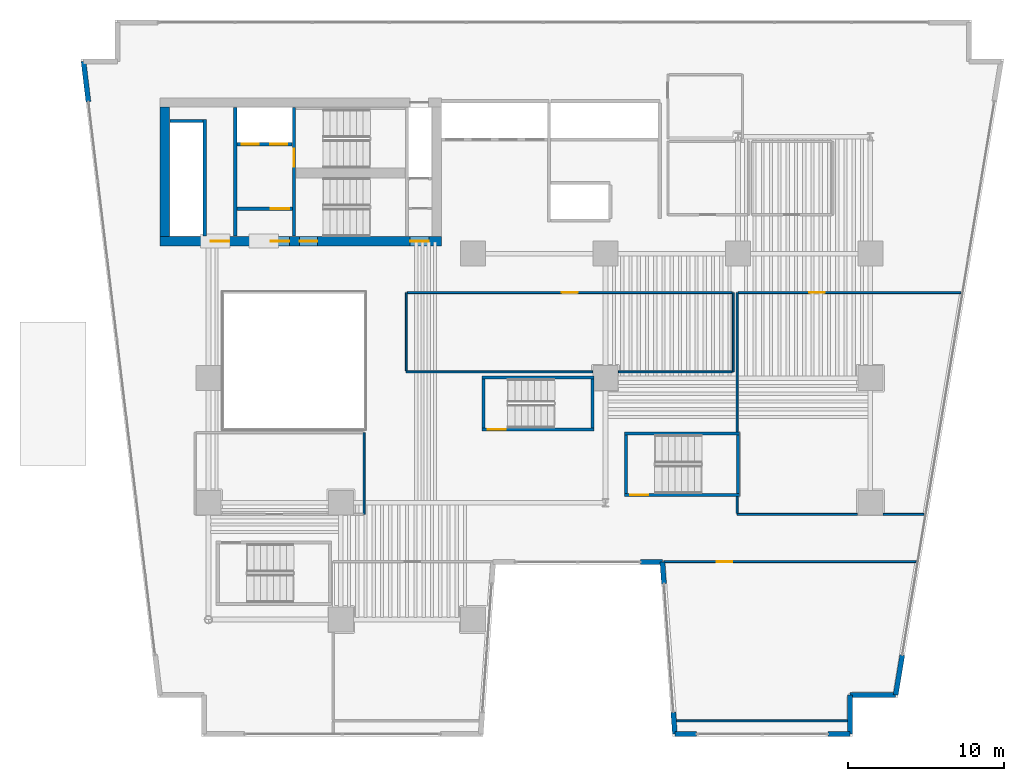
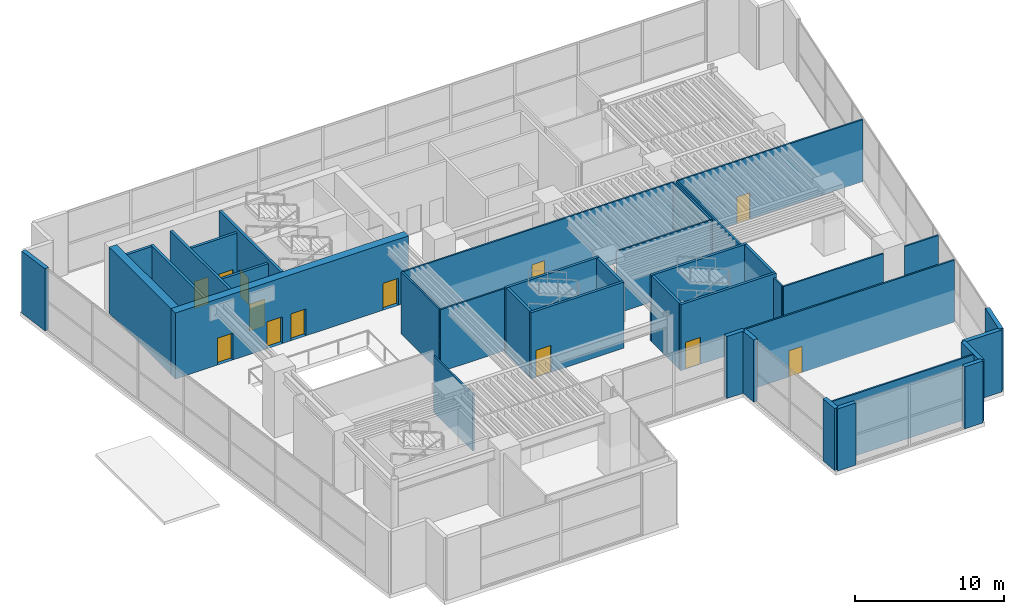
# One storey, part 10 of 17: 38 walls, 13 doors, 13 openings.
"""IFC4 building model written with IfcOpenShell, lengths in metres."""

from ifc_helpers import new_model, si_unit, direction, frame, frame_2d, origin, place, context, subcontext, project, spatial, rectangle, extrude, material, layer, layer_set, type_object, element, fill, save


model = new_model("IFC4")

# Units and contexts
model_context = context("Model", 3, precision=1e-05, world=origin(), true_north=direction((0.0, 1.0)))
body_context = subcontext(model_context, "Body", "Model", "MODEL_VIEW")
ifc_project = project(units=[si_unit("LENGTHUNIT", "METRE"), si_unit("AREAUNIT", "SQUARE_METRE"), si_unit("VOLUMEUNIT", "CUBIC_METRE"), si_unit("PLANEANGLEUNIT", "RADIAN"), si_unit("MASSUNIT", "GRAM", prefix="KILO")], contexts=[model_context])

# Site, building, storey
site_placement = place(None, origin())
site = spatial("IfcSite", under=ifc_project, at=site_placement, CompositionType="ELEMENT")
building_placement = place(site_placement, origin())
building = spatial("IfcBuilding", under=site, at=building_placement, Name="Caeloran Harvest Quay", CompositionType="ELEMENT")
storey_placement = place(building_placement, frame((0.0, 0.0, 5.39990234375)))
storey = spatial("IfcBuildingStorey", under=building, at=storey_placement, Name="L02", CompositionType="ELEMENT", Elevation=5.39990234375)

# Walls
ifc_material_1 = material(Name="Precast concrete C50/60", Category="concrete")
ifc_layer_1 = layer(ifc_material_1, 0.320068359375, Name="Precast concrete C50/60")
ifc_layer_set_1 = layer_set([ifc_layer_1], Name="Precast concrete C50/60")
wall_type_1 = type_object("IfcWallType", Name="ENV-WALL-EW-320", PredefinedType="STANDARD", material=ifc_layer_set_1)
wall_1_placement = place(storey_placement, frame((0.792724609375, 40.7587890625, 0.0), z_axis=(0.0, 0.0, 1.0), x_axis=(-0.119630264411, 0.992818513041, 0.0)))
element("IfcWall", 1, at=wall_1_placement, inside=storey, type_object=wall_type_1, Name="L02 Exterior Facade Corner Pier Wall 3B", PredefinedType="STANDARD", context=body_context, shape_type="SweptSolid", body=[
    extrude(rectangle(XDim=2.599853515625, YDim=0.320068359375, at=frame_2d((1.2998046875, 0.0))), origin(), (0.0, 0.0, 1.0), 5.080078125),
])
wall_2_placement = place(storey_placement, frame((53.051513671875, 5.224609375, 0.0), z_axis=(0.0, 0.0, 1.0), x_axis=(-0.164231487243, -0.986421825893, 0.0)))
element("IfcWall", 2, at=wall_2_placement, inside=storey, type_object=wall_type_1, Name="L02 Exterior Facade Corner Pier Wall 9B", PredefinedType="STANDARD", context=body_context, shape_type="SweptSolid", body=[
    extrude(rectangle(XDim=2.60009765625, YDim=0.320068359375, at=frame_2d((1.300048828125, 0.0))), origin(), (0.0, 0.0, 1.0), 5.080078125),
])
wall_3_placement = place(storey_placement, frame((52.62451171875, 2.659912109375, 0.0), z_axis=(0.0, 0.0, 1.0), x_axis=(-1.0, 0.0, 0.0)))
element("IfcWall", 3, at=wall_3_placement, inside=storey, type_object=wall_type_1, Name="L02 Exterior Precast Concrete Facade Wall 10", PredefinedType="STANDARD", context=body_context, shape_type="SweptSolid", body=[
    extrude(rectangle(XDim=2.9404296875, YDim=0.320068359375, at=frame_2d((1.47021484375, 0.0))), origin(), (0.0, 0.0, 1.0), 5.080078125),
])
wall_4_placement = place(storey_placement, frame((49.68408203125, 2.659912109375, 0.0), z_axis=(0.0, 0.0, 1.0), x_axis=(0.0, -1.0, 0.0)))
element("IfcWall", 4, at=wall_4_placement, inside=storey, type_object=wall_type_1, Name="L02 Exterior Precast Concrete Facade Wall 11", PredefinedType="STANDARD", context=body_context, shape_type="SweptSolid", body=[
    extrude(rectangle(XDim=2.5, YDim=0.320068359375, at=frame_2d((1.25, 0.0))), origin(), (0.0, 0.0, 1.0), 5.080078125),
])
wall_5_placement = place(storey_placement, frame((49.68408203125, 0.159912109375, 0.0), z_axis=(0.0, 0.0, 1.0), x_axis=(-1.0, 0.0, 0.0)))
element("IfcWall", 5, at=wall_5_placement, inside=storey, type_object=wall_type_1, Name="L02 Exterior Facade Corner Pier Wall 12A", PredefinedType="STANDARD", context=body_context, shape_type="SweptSolid", body=[
    extrude(rectangle(XDim=1.400146484375, YDim=0.320068359375, at=frame_2d((0.7001953125, 0.0))), origin(), (0.0, 0.0, 1.0), 5.080078125),
])
wall_6_placement = place(storey_placement, frame((39.852783203125, 0.159912109375, 0.0), z_axis=(0.0, 0.0, 1.0), x_axis=(-1.0, 0.0, 0.0)))
element("IfcWall", 6, at=wall_6_placement, inside=storey, type_object=wall_type_1, Name="L02 Exterior Facade Corner Pier Wall 12B", PredefinedType="STANDARD", context=body_context, shape_type="SweptSolid", body=[
    extrude(rectangle(XDim=1.39990234375, YDim=0.320068359375, at=frame_2d((0.699951171875, 0.0))), origin(), (0.0, 0.0, 1.0), 5.080078125),
])
wall_7_placement = place(storey_placement, frame((38.452880859375, 0.159912109375, 0.0), z_axis=(0.0, 0.0, 1.0), x_axis=(-0.072362245244, 0.997378416381, 0.0)))
element("IfcWall", 7, at=wall_7_placement, inside=storey, type_object=wall_type_1, Name="L02 Exterior Facade Corner Pier Wall 13A", PredefinedType="STANDARD", context=body_context, shape_type="SweptSolid", body=[
    extrude(rectangle(XDim=1.400146484375, YDim=0.320068359375, at=frame_2d((0.7001953125, 0.0))), origin(), (0.0, 0.0, 1.0), 5.080078125),
])
wall_8_placement = place(storey_placement, frame((37.75390625, 9.8037109375, 0.0), z_axis=(0.0, 0.0, 1.0), x_axis=(-0.072201344972, 0.997390077043, 0.0)))
element("IfcWall", 8, at=wall_8_placement, inside=storey, type_object=wall_type_1, Name="L02 Exterior Facade Corner Pier Wall 13B", PredefinedType="STANDARD", context=body_context, shape_type="SweptSolid", body=[
    extrude(rectangle(XDim=1.39990234375, YDim=0.320068359375, at=frame_2d((0.699951171875, 0.0))), origin(), (0.0, 0.0, 1.0), 5.080078125),
])
wall_9_placement = place(storey_placement, frame((37.65283203125, 11.199951171875, 0.0), z_axis=(0.0, 0.0, 1.0), x_axis=(-1.0, 0.0, 0.0)))
element("IfcWall", 9, at=wall_9_placement, inside=storey, type_object=wall_type_1, Name="L02 Exterior Facade Corner Pier Wall 14A", PredefinedType="STANDARD", context=body_context, shape_type="SweptSolid", body=[
    extrude(rectangle(XDim=1.400146484375, YDim=0.320068359375, at=frame_2d((0.7001953125, 0.0))), origin(), (0.0, 0.0, 1.0), 5.080078125),
])
ifc_material_2 = material(Name="Twin-Stud Mineral-Wool Acoustic Gypsum Partition", Category="gypsum")
ifc_layer_2 = layer(ifc_material_2, 0.125, Name="Twin-Stud Mineral-Wool Acoustic Gypsum Partition")
ifc_layer_set_2 = layer_set([ifc_layer_2], Name="Twin-Stud Mineral-Wool Acoustic Gypsum Partition")
wall_type_2 = type_object("IfcWallType", Name="INT-WALL-PW-125", PredefinedType="PARTITIONING", material=ifc_layer_set_2)
wall_10_placement = place(storey_placement, frame((18.5, 19.5, 0.0), z_axis=(0.0, 0.0, 1.0), x_axis=(0.0, -1.0, 0.0)))
element("IfcWall", 10, at=wall_10_placement, inside=storey, type_object=wall_type_2, Name="Harbour Cooked-Food Hall (56 Stalls) Partition Wall", PredefinedType="PARTITIONING", context=body_context, shape_type="SweptSolid", body=[
    extrude(rectangle(XDim=5.25, YDim=0.125, at=frame_2d((2.625, 0.0))), origin(), (0.0, 0.0, 1.0), 4.614990234375),
])
wall_11_placement = place(storey_placement, frame((49.51904296875, 1.0, 0.0), z_axis=(0.0, 0.0, 1.0), x_axis=(-1.0, 0.0, 0.0)))
element("IfcWall", 11, at=wall_11_placement, inside=storey, type_object=wall_type_2, Name="Cantonese Roast and Dim Sum Restaurant Partition Wall", PredefinedType="PARTITIONING", context=body_context, shape_type="SweptSolid", body=[
    extrude(rectangle(XDim=10.961669921875, YDim=0.125, at=frame_2d((5.48095703125, 0.0))), origin(), (0.0, 0.0, 1.0), 5.080078125),
])

# Wall, opening, door
wall_12_placement = place(storey_placement, frame((37.727294921875, 11.219970703125, 0.0), z_axis=(0.0, 0.0, 1.0), x_axis=(1.0, 0.0, 0.0)))
wall_12 = element("IfcWall", 12, at=wall_12_placement, inside=storey, type_object=wall_type_2, Name="Cantonese Roast and Dim Sum Restaurant Partition Wall", PredefinedType="PARTITIONING", context=body_context, shape_type="SweptSolid", body=[
    extrude(rectangle(XDim=16.215576171875, YDim=0.125, at=frame_2d((8.10791015625, 0.0))), origin(), (0.0, 0.0, 1.0), 5.080078125),
])
opening_1_placement = place(wall_12_placement, frame((3.41455078125, 0.0, 0.0)))
opening_1 = element("IfcOpeningElement", 13, at=opening_1_placement, cuts=wall_12, Name="Opening ID-01", PredefinedType="OPENING", context=body_context, shape_type="SweptSolid", body=[
    extrude(rectangle(XDim=1.0, YDim=2.14990234375, at=frame_2d((0.5, 1.074951171875))), frame((0.0, 0.072509765625, 0.0), z_axis=(0.0, -1.0, 0.0), x_axis=(1.0, 0.0, 0.0)), (0.0, 0.0, 1.0), 0.14501953125),
])
ifc_material_3 = material(Name="FSC Solid-Core Ash Timber and Acoustic Seal", Category="wood")
door_type_1 = type_object("IfcDoorType", Name="INTDOOR-ID-01", OperationType="NOTDEFINED", PredefinedType="DOOR", material=ifc_material_3)
door_1_placement = place(opening_1_placement, origin())
door_1 = element("IfcDoor", 14, at=door_1_placement, inside=storey, type_object=door_type_1, Name="Cantonese Roast and Dim Sum Restaurant Access Door", OperationType="SINGLE_SWING_RIGHT", OverallHeight=2.14990234375, OverallWidth=1.0, PredefinedType="DOOR", context=body_context, shape_type="SweptSolid", body=[
    extrude(rectangle(XDim=1.0, YDim=2.14990234375, at=frame_2d((0.5, 1.074951171875))), frame((0.0, 0.02490234375, 0.0), z_axis=(0.0, -1.0, 0.0), x_axis=(1.0, 0.0, 0.0)), (0.0, 0.0, 1.0), 0.050048828125),
])
fill(opening_1, door_1)

# Walls
wall_13_placement = place(storey_placement, frame((42.199951171875, 28.5, 0.0), z_axis=(0.0, 0.0, 1.0), x_axis=(0.0, -1.0, 0.0)))
element("IfcWall", 15, at=wall_13_placement, inside=storey, type_object=wall_type_2, Name="Hydroponic Salad Tasting Lounge Partition Wall", PredefinedType="PARTITIONING", context=body_context, shape_type="SweptSolid", body=[
    extrude(rectangle(XDim=5.10009765625, YDim=0.125, at=frame_2d((2.550048828125, 0.0))), origin(), (0.0, 0.0, 1.0), 5.080078125),
])
wall_14_placement = place(storey_placement, frame((42.132568359375, 23.39990234375, 0.0), z_axis=(0.0, 0.0, 1.0), x_axis=(-1.0, 0.0, 0.0)))
element("IfcWall", 16, at=wall_14_placement, inside=storey, type_object=wall_type_2, Name="Hydroponic Salad Tasting Lounge Partition Wall", PredefinedType="PARTITIONING", context=body_context, shape_type="SweptSolid", body=[
    extrude(rectangle(XDim=7.3076171875, YDim=0.125, at=frame_2d((3.65380859375, 0.0))), origin(), (0.0, 0.0, 1.0), 5.080078125),
])
wall_15_placement = place(storey_placement, frame((33.175048828125, 23.39990234375, 0.0), z_axis=(0.0, 0.0, 1.0), x_axis=(-1.0, 0.0, 0.0)))
element("IfcWall", 17, at=wall_15_placement, inside=storey, type_object=wall_type_2, Name="Hydroponic Salad Tasting Lounge Partition Wall", PredefinedType="PARTITIONING", context=body_context, shape_type="SweptSolid", body=[
    extrude(rectangle(XDim=11.97509765625, YDim=0.125, at=frame_2d((5.987548828125, 0.0))), origin(), (0.0, 0.0, 1.0), 5.080078125),
])
wall_16_placement = place(storey_placement, frame((21.199951171875, 23.467529296875, 0.0), z_axis=(0.0, 0.0, 1.0), x_axis=(0.0, 1.0, 0.0)))
element("IfcWall", 18, at=wall_16_placement, inside=storey, type_object=wall_type_2, Name="Hydroponic Salad Tasting Lounge Partition Wall", PredefinedType="PARTITIONING", context=body_context, shape_type="SweptSolid", body=[
    extrude(rectangle(XDim=5.032470703125, YDim=0.125, at=frame_2d((2.51611328125, 0.0))), origin(), (0.0, 0.0, 1.0), 5.080078125),
])

# Wall, opening, door
wall_17_placement = place(storey_placement, frame((21.267578125, 28.5, 0.0), z_axis=(0.0, 0.0, 1.0), x_axis=(1.0, 0.0, 0.0)))
wall_17 = element("IfcWall", 19, at=wall_17_placement, inside=storey, type_object=wall_type_2, Name="Hydroponic Salad Tasting Lounge Partition Wall", PredefinedType="PARTITIONING", context=body_context, shape_type="SweptSolid", body=[
    extrude(rectangle(XDim=20.864990234375, YDim=0.125, at=frame_2d((10.4326171875, 0.0))), origin(), (0.0, 0.0, 1.0), 5.080078125),
])
opening_2_placement = place(wall_17_placement, frame((9.9326171875, 0.0, 0.0)))
opening_2 = element("IfcOpeningElement", 20, at=opening_2_placement, cuts=wall_17, Name="Opening ID-01", PredefinedType="OPENING", context=body_context, shape_type="SweptSolid", body=[
    extrude(rectangle(XDim=1.0, YDim=2.14990234375, at=frame_2d((0.5, 1.074951171875))), frame((0.0, 0.072509765625, 0.0), z_axis=(0.0, -1.0, 0.0), x_axis=(1.0, 0.0, 0.0)), (0.0, 0.0, 1.0), 0.14501953125),
])
door_2_placement = place(opening_2_placement, origin())
door_2 = element("IfcDoor", 21, at=door_2_placement, inside=storey, type_object=door_type_1, Name="Hydroponic Salad Tasting Lounge Access Door", OperationType="SINGLE_SWING_LEFT", OverallHeight=2.14990234375, OverallWidth=1.0, PredefinedType="DOOR", context=body_context, shape_type="SweptSolid", body=[
    extrude(rectangle(XDim=1.0, YDim=2.14990234375, at=frame_2d((0.5, 1.074951171875))), frame((0.0, 0.02490234375, 0.0), z_axis=(0.0, -1.0, 0.0), x_axis=(1.0, 0.0, 0.0)), (0.0, 0.0, 1.0), 0.050048828125),
])
fill(opening_2, door_2)

# Wall
wall_18_placement = place(storey_placement, frame((42.449951171875, 19.554931640625, 0.0), z_axis=(0.0, 0.0, 1.0), x_axis=(0.0, 1.0, 0.0)))
element("IfcWall", 22, at=wall_18_placement, inside=storey, type_object=wall_type_2, Name="Cold Prep Commissary Kitchen Partition Wall", PredefinedType="PARTITIONING", context=body_context, shape_type="SweptSolid", body=[
    extrude(rectangle(XDim=8.945068359375, YDim=0.125, at=frame_2d((4.47265625, 0.0))), origin(), (0.0, 0.0, 1.0), 5.080078125),
])

# Wall, opening, door
wall_19_placement = place(storey_placement, frame((42.517578125, 28.5, 0.0), z_axis=(0.0, 0.0, 1.0), x_axis=(1.0, 0.0, 0.0)))
wall_19 = element("IfcWall", 23, at=wall_19_placement, inside=storey, type_object=wall_type_2, Name="Cold Prep Commissary Kitchen Partition Wall", PredefinedType="PARTITIONING", context=body_context, shape_type="SweptSolid", body=[
    extrude(rectangle(XDim=14.301025390625, YDim=0.125, at=frame_2d((7.150390625, 0.0))), origin(), (0.0, 0.0, 1.0), 5.080078125),
])
opening_3_placement = place(wall_19_placement, frame((4.560791015625, 0.0, 0.0)))
opening_3 = element("IfcOpeningElement", 24, at=opening_3_placement, cuts=wall_19, Name="Opening ID-01", PredefinedType="OPENING", context=body_context, shape_type="SweptSolid", body=[
    extrude(rectangle(XDim=1.0, YDim=2.14990234375, at=frame_2d((0.5, 1.074951171875))), frame((0.0, 0.072509765625, 0.0), z_axis=(0.0, -1.0, 0.0), x_axis=(1.0, 0.0, 0.0)), (0.0, 0.0, 1.0), 0.14501953125),
])
door_3_placement = place(opening_3_placement, origin())
door_3 = element("IfcDoor", 25, at=door_3_placement, inside=storey, type_object=door_type_1, Name="Cold Prep Commissary Kitchen Access Door", OperationType="SINGLE_SWING_RIGHT", OverallHeight=2.14990234375, OverallWidth=1.0, PredefinedType="DOOR", context=body_context, shape_type="SweptSolid", body=[
    extrude(rectangle(XDim=1.0, YDim=2.14990234375, at=frame_2d((0.5, 1.074951171875))), frame((0.0, 0.02490234375, 0.0), z_axis=(0.0, -1.0, 0.0), x_axis=(1.0, 0.0, 0.0)), (0.0, 0.0, 1.0), 0.050048828125),
])
fill(opening_3, door_3)

# Walls
wall_20_placement = place(storey_placement, frame((54.447021484375, 14.25, 0.0), z_axis=(0.0, 0.0, 1.0), x_axis=(-1.0, 0.0, 0.0)))
element("IfcWall", 26, at=wall_20_placement, inside=storey, type_object=wall_type_2, Name="Cold Prep Commissary Kitchen Partition Wall", PredefinedType="PARTITIONING", context=body_context, shape_type="SweptSolid", body=[
    extrude(rectangle(XDim=2.6220703125, YDim=0.125, at=frame_2d((1.31103515625, 0.0))), origin(), (0.0, 0.0, 1.0), 5.080078125),
])
wall_21_placement = place(storey_placement, frame((50.175048828125, 14.25, 0.0), z_axis=(0.0, 0.0, 1.0), x_axis=(-1.0, 0.0, 0.0)))
element("IfcWall", 27, at=wall_21_placement, inside=storey, type_object=wall_type_2, Name="Cold Prep Commissary Kitchen Partition Wall", PredefinedType="PARTITIONING", context=body_context, shape_type="SweptSolid", body=[
    extrude(rectangle(XDim=7.72509765625, YDim=0.125, at=frame_2d((3.862548828125, 0.0))), origin(), (0.0, 0.0, 1.0), 5.080078125),
])
wall_22_placement = place(storey_placement, frame((42.449951171875, 14.3173828125, 0.0), z_axis=(0.0, 0.0, 1.0), x_axis=(0.0, 1.0, 0.0)))
element("IfcWall", 28, at=wall_22_placement, inside=storey, type_object=wall_type_2, Name="Cold Prep Commissary Kitchen Partition Wall", PredefinedType="PARTITIONING", context=body_context, shape_type="SweptSolid", body=[
    extrude(rectangle(XDim=1.07763671875, YDim=0.125, at=frame_2d((0.538818359375, 0.0))), origin(), (0.0, 0.0, 1.0), 5.080078125),
])
ifc_material_4 = material(Name="Concrete C50/60", Category="concrete")
ifc_layer_3 = layer(ifc_material_4, 0.199951171875, Name="Concrete C50/60")
ifc_layer_set_3 = layer_set([ifc_layer_3], Name="Concrete C50/60")
wall_type_3 = type_object("IfcWallType", Name="INT-WALL-SW-200", PredefinedType="PARTITIONING", material=ifc_layer_set_3)
wall_23_placement = place(storey_placement, frame((8.260009765625, 32.1201171875, 0.0), z_axis=(0.0, 0.0, 1.0), x_axis=(0.0, 1.0, 0.0)))
element("IfcWall", 29, at=wall_23_placement, inside=storey, type_object=wall_type_3, Name="L02 Bank 3 Lift Shaft Wall", PredefinedType="PARTITIONING", context=body_context, shape_type="SweptSolid", body=[
    extrude(rectangle(XDim=7.5, YDim=0.199951171875, at=frame_2d((3.75, 0.0))), origin(), (0.0, 0.0, 1.0), 5.080078125),
])
wall_24_placement = place(storey_placement, frame((6.02001953125, 39.52001953125, 0.0), z_axis=(0.0, 0.0, 1.0), x_axis=(1.0, 0.0, 0.0)))
element("IfcWall", 30, at=wall_24_placement, inside=storey, type_object=wall_type_3, Name="L02 Bank 3 Lift Shaft North End Wall", PredefinedType="PARTITIONING", context=body_context, shape_type="SweptSolid", body=[
    extrude(rectangle(XDim=2.119873046875, YDim=0.199951171875, at=frame_2d((1.06005859375, 0.0))), origin(), (0.0, 0.0, 1.0), 5.080078125),
])
wall_25_placement = place(storey_placement, frame((10.219970703125, 32.1201171875, 0.0), z_axis=(0.0, 0.0, 1.0), x_axis=(0.0, 1.0, 0.0)))
element("IfcWall", 31, at=wall_25_placement, inside=storey, type_object=wall_type_3, Name="L02 Core Lobby Compartment Wall", PredefinedType="PARTITIONING", context=body_context, shape_type="SweptSolid", body=[
    extrude(rectangle(XDim=8.259765625, YDim=0.199951171875, at=frame_2d((4.1298828125, 0.0))), origin(), (0.0, 0.0, 1.0), 5.080078125),
])

# Wall, openings, doors
wall_26_placement = place(storey_placement, frame((10.340087890625, 38.02001953125, 0.0), z_axis=(0.0, 0.0, 1.0), x_axis=(1.0, 0.0, 0.0)))
wall_26 = element("IfcWall", 32, at=wall_26_placement, inside=storey, type_object=wall_type_3, Name="L02 Firefighting Lift Shaft Wall", PredefinedType="PARTITIONING", context=body_context, shape_type="SweptSolid", body=[
    extrude(rectangle(XDim=3.539794921875, YDim=0.199951171875, at=frame_2d((1.77001953125, 0.0))), origin(), (0.0, 0.0, 1.0), 5.080078125),
])
opening_4_placement = place(wall_26_placement, frame((0.284912109375, 0.0, 0.0)))
opening_4 = element("IfcOpeningElement", 33, at=opening_4_placement, cuts=wall_26, Name="Opening LD-01", PredefinedType="OPENING", context=body_context, shape_type="SweptSolid", body=[
    extrude(rectangle(XDim=1.10009765625, YDim=2.199951171875, at=frame_2d((0.550048828125, 1.10009765625))), frame((0.0, 0.10986328125, 0.0), z_axis=(0.0, -1.0, 0.0), x_axis=(1.0, 0.0, 0.0)), (0.0, 0.0, 1.0), 0.219970703125),
])
opening_5_placement = place(wall_26_placement, frame((2.135009765625, 0.0, 0.0)))
opening_5 = element("IfcOpeningElement", 34, at=opening_5_placement, cuts=wall_26, Name="Opening LD-01", PredefinedType="OPENING", context=body_context, shape_type="SweptSolid", body=[
    extrude(rectangle(XDim=1.10009765625, YDim=2.199951171875, at=frame_2d((0.550048828125, 1.10009765625))), frame((0.0, 0.10986328125, 0.0), z_axis=(0.0, -1.0, 0.0), x_axis=(1.0, 0.0, 0.0)), (0.0, 0.0, 1.0), 0.219970703125),
])
ifc_material_5 = material(Name="Stainless Steel Grade 316", Category="steel")
door_type_2 = type_object("IfcDoorType", Name="INTDOOR-LD-01", OperationType="NOTDEFINED", PredefinedType="DOOR", material=ifc_material_5)
door_4_placement = place(opening_4_placement, origin())
door_4 = element("IfcDoor", 35, at=door_4_placement, inside=storey, type_object=door_type_2, Name="Lift FF-1 Sliding Landing Door (L02)", OperationType="DOUBLE_DOOR_SLIDING", OverallHeight=2.199951171875, OverallWidth=1.10009765625, PredefinedType="DOOR", context=body_context, shape_type="SweptSolid", body=[
    extrude(rectangle(XDim=1.10009765625, YDim=2.199951171875, at=frame_2d((0.550048828125, 1.10009765625))), frame((0.0, 0.02490234375, 0.0), z_axis=(0.0, -1.0, 0.0), x_axis=(1.0, 0.0, 0.0)), (0.0, 0.0, 1.0), 0.050048828125),
])
fill(opening_4, door_4)
door_5_placement = place(opening_5_placement, origin())
door_5 = element("IfcDoor", 36, at=door_5_placement, inside=storey, type_object=door_type_2, Name="Lift FF-2 Sliding Landing Door (L02)", OperationType="DOUBLE_DOOR_SLIDING", OverallHeight=2.199951171875, OverallWidth=1.10009765625, PredefinedType="DOOR", context=body_context, shape_type="SweptSolid", body=[
    extrude(rectangle(XDim=1.10009765625, YDim=2.199951171875, at=frame_2d((0.550048828125, 1.10009765625))), frame((0.0, 0.02490234375, 0.0), z_axis=(0.0, -1.0, 0.0), x_axis=(1.0, 0.0, 0.0)), (0.0, 0.0, 1.0), 0.050048828125),
])
fill(opening_5, door_5)

# Wall, opening, door
wall_27_placement = place(storey_placement, frame((10.340087890625, 33.8798828125, 0.0), z_axis=(0.0, 0.0, 1.0), x_axis=(1.0, 0.0, 0.0)))
wall_27 = element("IfcWall", 37, at=wall_27_placement, inside=storey, type_object=wall_type_3, Name="L02 Firefighting Lift Lobby Enclosure Wall", PredefinedType="PARTITIONING", context=body_context, shape_type="SweptSolid", body=[
    extrude(rectangle(XDim=3.559814453125, YDim=0.199951171875, at=frame_2d((1.77978515625, 0.0))), origin(), (0.0, 0.0, 1.0), 5.080078125),
])
opening_6_placement = place(wall_27_placement, frame((2.14990234375, 0.0, 0.0)))
opening_6 = element("IfcOpeningElement", 38, at=opening_6_placement, cuts=wall_27, Name="Opening FD-01", PredefinedType="OPENING", context=body_context, shape_type="SweptSolid", body=[
    extrude(rectangle(XDim=1.199951171875, YDim=2.199951171875, at=frame_2d((0.60009765625, 1.10009765625))), frame((0.0, 0.10986328125, 0.0), z_axis=(0.0, -1.0, 0.0), x_axis=(1.0, 0.0, 0.0)), (0.0, 0.0, 1.0), 0.219970703125),
])
ifc_material_6 = material(Name="Steel", Category="steel")
door_type_3 = type_object("IfcDoorType", Name="INTDOOR-FD-01", OperationType="NOTDEFINED", PredefinedType="DOOR", material=ifc_material_6)
door_6_placement = place(opening_6_placement, origin())
door_6 = element("IfcDoor", 39, at=door_6_placement, inside=storey, type_object=door_type_3, Name="L02 Firefighting Lift Lobby Smoke-Seal Fire Door", OperationType="SINGLE_SWING_RIGHT", OverallHeight=2.199951171875, OverallWidth=1.199951171875, PredefinedType="DOOR", context=body_context, shape_type="SweptSolid", body=[
    extrude(rectangle(XDim=1.199951171875, YDim=2.199951171875, at=frame_2d((0.60009765625, 1.10009765625))), frame((0.0, 0.02490234375, 0.0), z_axis=(0.0, -1.0, 0.0), x_axis=(1.0, 0.0, 0.0)), (0.0, 0.0, 1.0), 0.050048828125),
])
fill(opening_6, door_6)

# Wall, openings, doors
ifc_material_7 = material(Name="Concrete C80/95", Category="concrete")
ifc_layer_4 = layer(ifc_material_7, 0.60009765625, Name="Concrete C80/95")
ifc_layer_set_4 = layer_set([ifc_layer_4], Name="Concrete C80/95")
wall_type_4 = type_object("IfcWallType", Name="STR-WALL-CW-600", PredefinedType="SHEAR", material=ifc_layer_set_4)
wall_28_placement = place(storey_placement, frame((5.39990234375, 31.800048828125, 0.0), z_axis=(0.0, 0.0, 1.0), x_axis=(1.0, 0.0, 0.0)))
wall_28 = element("IfcWall", 40, at=wall_28_placement, inside=storey, type_object=wall_type_4, Name="L02 Rear Core Shear Wall S", PredefinedType="SHEAR", context=body_context, shape_type="SweptSolid", body=[
    extrude(rectangle(XDim=18.050048828125, YDim=0.60009765625, at=frame_2d((9.02490234375, 0.0))), origin(), (0.0, 0.0, 1.0), 5.400146484375),
])
opening_7_placement = place(wall_28_placement, frame((3.25, 0.0, 0.0)))
opening_7 = element("IfcOpeningElement", 41, at=opening_7_placement, cuts=wall_28, Name="Opening FD-01", PredefinedType="OPENING", context=body_context, shape_type="SweptSolid", body=[
    extrude(rectangle(XDim=1.199951171875, YDim=2.199951171875, at=frame_2d((0.60009765625, 1.10009765625))), frame((0.0, 0.31005859375, 0.0), z_axis=(0.0, -1.0, 0.0), x_axis=(1.0, 0.0, 0.0)), (0.0, 0.0, 1.0), 0.6201171875),
])
opening_8_placement = place(wall_28_placement, frame((7.10009765625, 0.0, 0.0)))
opening_8 = element("IfcOpeningElement", 42, at=opening_8_placement, cuts=wall_28, Name="Opening FD-01", PredefinedType="OPENING", context=body_context, shape_type="SweptSolid", body=[
    extrude(rectangle(XDim=1.199951171875, YDim=2.199951171875, at=frame_2d((0.60009765625, 1.10009765625))), frame((0.0, 0.31005859375, 0.0), z_axis=(0.0, -1.0, 0.0), x_axis=(1.0, 0.0, 0.0)), (0.0, 0.0, 1.0), 0.6201171875),
])
opening_9_placement = place(wall_28_placement, frame((8.949951171875, 0.0, 0.0)))
opening_9 = element("IfcOpeningElement", 43, at=opening_9_placement, cuts=wall_28, Name="Opening SD-01", PredefinedType="OPENING", context=body_context, shape_type="SweptSolid", body=[
    extrude(rectangle(XDim=1.14990234375, YDim=2.199951171875, at=frame_2d((0.574951171875, 1.10009765625))), frame((0.0, 0.31005859375, 0.0), z_axis=(0.0, -1.0, 0.0), x_axis=(1.0, 0.0, 0.0)), (0.0, 0.0, 1.0), 0.6201171875),
])
opening_10_placement = place(wall_28_placement, frame((16.050048828125, 0.0, 0.0)))
opening_10 = element("IfcOpeningElement", 44, at=opening_10_placement, cuts=wall_28, Name="Opening FD-01", PredefinedType="OPENING", context=body_context, shape_type="SweptSolid", body=[
    extrude(rectangle(XDim=1.199951171875, YDim=2.199951171875, at=frame_2d((0.60009765625, 1.10009765625))), frame((0.0, 0.31005859375, 0.0), z_axis=(0.0, -1.0, 0.0), x_axis=(1.0, 0.0, 0.0)), (0.0, 0.0, 1.0), 0.6201171875),
])
door_7_placement = place(opening_7_placement, origin())
door_7 = element("IfcDoor", 45, at=door_7_placement, inside=storey, type_object=door_type_3, Name="L02 High-Rise Lift Lobby Fire Door", OperationType="SINGLE_SWING_RIGHT", OverallHeight=2.199951171875, OverallWidth=1.199951171875, PredefinedType="DOOR", context=body_context, shape_type="SweptSolid", body=[
    extrude(rectangle(XDim=1.199951171875, YDim=2.199951171875, at=frame_2d((0.60009765625, 1.10009765625))), frame((0.0, 0.02490234375, 0.0), z_axis=(0.0, -1.0, 0.0), x_axis=(1.0, 0.0, 0.0)), (0.0, 0.0, 1.0), 0.050048828125),
])
fill(opening_7, door_7)
door_8_placement = place(opening_8_placement, origin())
door_8 = element("IfcDoor", 46, at=door_8_placement, inside=storey, type_object=door_type_3, Name="L02 Firefighting Lobby Vestibule Fire Door", OperationType="SINGLE_SWING_LEFT", OverallHeight=2.199951171875, OverallWidth=1.199951171875, PredefinedType="DOOR", context=body_context, shape_type="SweptSolid", body=[
    extrude(rectangle(XDim=1.199951171875, YDim=2.199951171875, at=frame_2d((0.60009765625, 1.10009765625))), frame((0.0, 0.02490234375, 0.0), z_axis=(0.0, -1.0, 0.0), x_axis=(1.0, 0.0, 0.0)), (0.0, 0.0, 1.0), 0.050048828125),
])
fill(opening_8, door_8)
door_9_placement = place(opening_10_placement, origin())
door_9 = element("IfcDoor", 47, at=door_9_placement, inside=storey, type_object=door_type_3, Name="L02 Service Lift Lobby Fire Door", OperationType="SINGLE_SWING_LEFT", OverallHeight=2.199951171875, OverallWidth=1.199951171875, PredefinedType="DOOR", context=body_context, shape_type="SweptSolid", body=[
    extrude(rectangle(XDim=1.199951171875, YDim=2.199951171875, at=frame_2d((0.60009765625, 1.10009765625))), frame((0.0, 0.02490234375, 0.0), z_axis=(0.0, -1.0, 0.0), x_axis=(1.0, 0.0, 0.0)), (0.0, 0.0, 1.0), 0.050048828125),
])
fill(opening_10, door_9)
door_type_4 = type_object("IfcDoorType", Name="INTDOOR-SD-01", OperationType="NOTDEFINED", PredefinedType="DOOR", material=ifc_material_6)
door_10_placement = place(opening_9_placement, origin())
door_10 = element("IfcDoor", 48, at=door_10_placement, inside=storey, type_object=door_type_4, Name="L02 Protected Stair ST-C2 Exit Door", OperationType="SINGLE_SWING_RIGHT", OverallHeight=2.199951171875, OverallWidth=1.14990234375, PredefinedType="DOOR", context=body_context, shape_type="SweptSolid", body=[
    extrude(rectangle(XDim=1.14990234375, YDim=2.199951171875, at=frame_2d((0.574951171875, 1.10009765625))), frame((0.0, 0.02490234375, 0.0), z_axis=(0.0, -1.0, 0.0), x_axis=(1.0, 0.0, 0.0)), (0.0, 0.0, 1.0), 0.050048828125),
])
fill(opening_9, door_10)

# Wall
wall_29_placement = place(storey_placement, frame((5.699951171875, 32.10009765625, 0.0), z_axis=(0.0, 0.0, 1.0), x_axis=(0.0, 1.0, 0.0)))
element("IfcWall", 49, at=wall_29_placement, inside=storey, type_object=wall_type_4, Name="L02 Rear Core Shear Wall W", PredefinedType="SHEAR", context=body_context, shape_type="SweptSolid", body=[
    extrude(rectangle(XDim=8.2998046875, YDim=0.60009765625, at=frame_2d((4.14990234375, 0.0))), origin(), (0.0, 0.0, 1.0), 5.400146484375),
])

# Wall, opening, door
ifc_material_8 = material(Name="Concrete C60/75", Category="concrete")
ifc_layer_5 = layer(ifc_material_8, 0.199951171875, Name="Concrete C60/75")
ifc_layer_set_5 = layer_set([ifc_layer_5], Name="Concrete C60/75")
wall_type_5 = type_object("IfcWallType", Name="STR-WALL-SW-200", PredefinedType="SHEAR", material=ifc_layer_set_5)
wall_30_placement = place(storey_placement, frame((14.0, 32.1201171875, 0.0), z_axis=(0.0, 0.0, 1.0), x_axis=(0.0, 1.0, 0.0)))
wall_30 = element("IfcWall", 50, at=wall_30_placement, inside=storey, type_object=wall_type_5, Name="L02 Core Stair Shaft West Shear Wall", PredefinedType="SHEAR", context=body_context, shape_type="SweptSolid", body=[
    extrude(rectangle(XDim=8.259765625, YDim=0.199951171875, at=frame_2d((4.1298828125, 0.0))), origin(), (0.0, 0.0, 1.0), 5.400146484375),
])
opening_11_placement = place(wall_30_placement, frame((4.4599609375, 0.0, 0.0)))
opening_11 = element("IfcOpeningElement", 51, at=opening_11_placement, cuts=wall_30, Name="Opening SD-01", PredefinedType="OPENING", context=body_context, shape_type="SweptSolid", body=[
    extrude(rectangle(XDim=1.14990234375, YDim=2.199951171875, at=frame_2d((0.574951171875, 1.10009765625))), frame((0.0, 0.10986328125, 0.0), z_axis=(0.0, -1.0, 0.0), x_axis=(1.0, 0.0, 0.0)), (0.0, 0.0, 1.0), 0.219970703125),
])
door_11_placement = place(opening_11_placement, origin())
door_11 = element("IfcDoor", 52, at=door_11_placement, inside=storey, type_object=door_type_4, Name="L02 Protected Stair ST-C1 Exit Door", OperationType="SINGLE_SWING_LEFT", OverallHeight=2.199951171875, OverallWidth=1.14990234375, PredefinedType="DOOR", context=body_context, shape_type="SweptSolid", body=[
    extrude(rectangle(XDim=1.14990234375, YDim=2.199951171875, at=frame_2d((0.574951171875, 1.10009765625))), frame((0.0, 0.02490234375, 0.0), z_axis=(0.0, -1.0, 0.0), x_axis=(1.0, 0.0, 0.0)), (0.0, 0.0, 1.0), 0.050048828125),
])
fill(opening_11, door_11)

wall_31_placement = place(storey_placement, frame((26.050048828125, 19.699951171875, 0.0), z_axis=(0.0, 0.0, 1.0), x_axis=(1.0, 0.0, 0.0)))
wall_31 = element("IfcWall", 53, at=wall_31_placement, inside=storey, type_object=wall_type_5, Name="L02 Stair ST-W1 S RC Shaft Shear Wall", PredefinedType="SHEAR", context=body_context, shape_type="SweptSolid", body=[
    extrude(rectangle(XDim=7.199951171875, YDim=0.199951171875, at=frame_2d((3.60009765625, 0.0))), origin(), (0.0, 0.0, 1.0), 5.400146484375),
])
opening_12_placement = place(wall_31_placement, frame((0.3798828125, 0.0, 0.0)))
opening_12 = element("IfcOpeningElement", 54, at=opening_12_placement, cuts=wall_31, Name="Opening SD-01", PredefinedType="OPENING", context=body_context, shape_type="SweptSolid", body=[
    extrude(rectangle(XDim=1.14990234375, YDim=2.199951171875, at=frame_2d((0.574951171875, 1.10009765625))), frame((0.0, 0.10986328125, 0.0), z_axis=(0.0, -1.0, 0.0), x_axis=(1.0, 0.0, 0.0)), (0.0, 0.0, 1.0), 0.219970703125),
])
door_12_placement = place(opening_12_placement, origin())
door_12 = element("IfcDoor", 55, at=door_12_placement, inside=storey, type_object=door_type_4, Name="L02 Protected Exit Stair ST-W1 Fire Door", OperationType="SINGLE_SWING_LEFT", OverallHeight=2.199951171875, OverallWidth=1.14990234375, PredefinedType="DOOR", context=body_context, shape_type="SweptSolid", body=[
    extrude(rectangle(XDim=1.14990234375, YDim=2.199951171875, at=frame_2d((0.574951171875, 1.10009765625))), frame((0.0, 0.02490234375, 0.0), z_axis=(0.0, -1.0, 0.0), x_axis=(1.0, 0.0, 0.0)), (0.0, 0.0, 1.0), 0.050048828125),
])
fill(opening_12, door_12)

# Walls
wall_32_placement = place(storey_placement, frame((26.050048828125, 23.050048828125, 0.0), z_axis=(0.0, 0.0, 1.0), x_axis=(1.0, 0.0, 0.0)))
element("IfcWall", 56, at=wall_32_placement, inside=storey, type_object=wall_type_5, Name="L02 Stair ST-W1 N RC Shaft Shear Wall", PredefinedType="SHEAR", context=body_context, shape_type="SweptSolid", body=[
    extrude(rectangle(XDim=7.199951171875, YDim=0.199951171875, at=frame_2d((3.60009765625, 0.0))), origin(), (0.0, 0.0, 1.0), 5.400146484375),
])
for number, where, z_axis, x_axis, name in (
    (57, (26.14990234375, 19.81005859375, 0.0), (0.0, 0.0, 1.0), (0.0, 1.0, 0.0), "L02 Stair ST-W1 W RC Shaft Shear Wall"),
    (58, (33.14990234375, 19.81005859375, 0.0), (0.0, 0.0, 1.0), (0.0, 1.0, 0.0), "L02 Stair ST-W1 E RC Shaft Shear Wall"),
):
    element("IfcWall", number, at=place(storey_placement, frame(where, z_axis=z_axis, x_axis=x_axis)), inside=storey, type_object=wall_type_5, Name=name, PredefinedType="SHEAR", context=body_context, shape_type="SweptSolid", body=[
        extrude(rectangle(XDim=3.1298828125, YDim=0.199951171875, at=frame_2d((1.56494140625, 0.0))), origin(), (0.0, 0.0, 1.0), 5.400146484375),
    ])

# Wall, opening, door
wall_33_placement = place(storey_placement, frame((35.199951171875, 15.5, 0.0), z_axis=(0.0, 0.0, 1.0), x_axis=(1.0, 0.0, 0.0)))
wall_33 = element("IfcWall", 59, at=wall_33_placement, inside=storey, type_object=wall_type_5, Name="L02 Stair ST-P2 S RC Shaft Shear Wall", PredefinedType="SHEAR", context=body_context, shape_type="SweptSolid", body=[
    extrude(rectangle(XDim=7.400146484375, YDim=0.199951171875, at=frame_2d((3.7001953125, 0.0))), origin(), (0.0, 0.0, 1.0), 5.400146484375),
])
opening_13_placement = place(wall_33_placement, frame((0.3798828125, 0.0, 0.0)))
opening_13 = element("IfcOpeningElement", 60, at=opening_13_placement, cuts=wall_33, Name="Opening SD-01", PredefinedType="OPENING", context=body_context, shape_type="SweptSolid", body=[
    extrude(rectangle(XDim=1.14990234375, YDim=2.199951171875, at=frame_2d((0.574951171875, 1.10009765625))), frame((0.0, 0.10986328125, 0.0), z_axis=(0.0, -1.0, 0.0), x_axis=(1.0, 0.0, 0.0)), (0.0, 0.0, 1.0), 0.219970703125),
])
door_13_placement = place(opening_13_placement, origin())
door_13 = element("IfcDoor", 61, at=door_13_placement, inside=storey, type_object=door_type_4, Name="L02 Protected Exit Stair ST-P2 Fire Door", OperationType="SINGLE_SWING_LEFT", OverallHeight=2.199951171875, OverallWidth=1.14990234375, PredefinedType="DOOR", context=body_context, shape_type="SweptSolid", body=[
    extrude(rectangle(XDim=1.14990234375, YDim=2.199951171875, at=frame_2d((0.574951171875, 1.10009765625))), frame((0.0, 0.02490234375, 0.0), z_axis=(0.0, -1.0, 0.0), x_axis=(1.0, 0.0, 0.0)), (0.0, 0.0, 1.0), 0.050048828125),
])
fill(opening_13, door_13)

# Walls
wall_34_placement = place(storey_placement, frame((35.199951171875, 19.449951171875, 0.0), z_axis=(0.0, 0.0, 1.0), x_axis=(1.0, 0.0, 0.0)))
element("IfcWall", 62, at=wall_34_placement, inside=storey, type_object=wall_type_5, Name="L02 Stair ST-P2 N RC Shaft Shear Wall", PredefinedType="SHEAR", context=body_context, shape_type="SweptSolid", body=[
    extrude(rectangle(XDim=7.400146484375, YDim=0.199951171875, at=frame_2d((3.7001953125, 0.0))), origin(), (0.0, 0.0, 1.0), 5.400146484375),
])
for number, where, z_axis, x_axis, name in (
    (63, (35.300048828125, 15.610107421875, 0.0), (0.0, 0.0, 1.0), (0.0, 1.0, 0.0), "L02 Stair ST-P2 W RC Shaft Shear Wall"),
    (64, (42.5, 15.610107421875, 0.0), (0.0, 0.0, 1.0), (0.0, 1.0, 0.0), "L02 Stair ST-P2 E RC Shaft Shear Wall"),
):
    element("IfcWall", number, at=place(storey_placement, frame(where, z_axis=z_axis, x_axis=x_axis)), inside=storey, type_object=wall_type_5, Name=name, PredefinedType="SHEAR", context=body_context, shape_type="SweptSolid", body=[
        extrude(rectangle(XDim=3.72998046875, YDim=0.199951171875, at=frame_2d((1.864990234375, 0.0))), origin(), (0.0, 0.0, 1.0), 5.400146484375),
    ])

save(model, "model.ifc")
